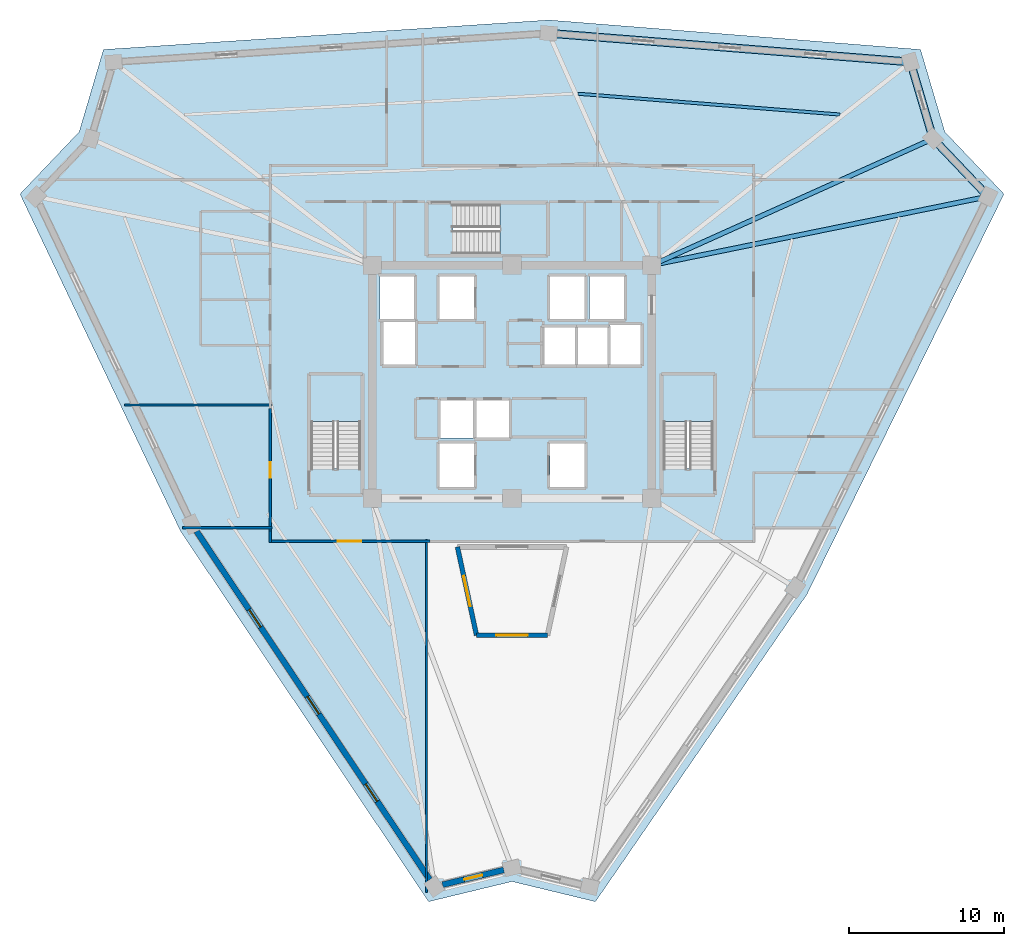
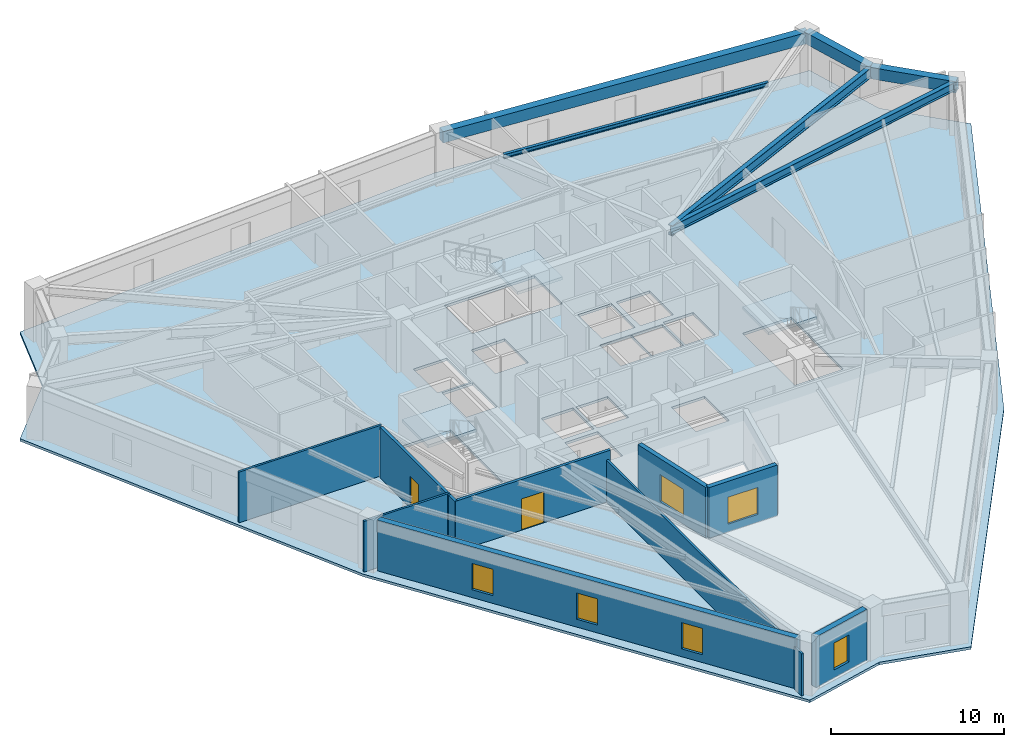
# One storey, part 2 of 10: 10 walls, 6 beams, 6 windows, 4 slabs, 2 doors, 8 openings, 3 elements without a shape of their own.
"""IFC4 building model written with IfcOpenShell, lengths in metres."""

import ifcopenshell
import ifcopenshell.guid

model = None  # the IFC model being written
_history = None  # IfcOwnerHistory: only IFC2X3 demands one
_inside = {}  # id of a spatial element -> (the spatial element, [elements in it])
_under = {}  # id of a project, library or spatial element -> (it, [spatial elements below it])
_declared = {}  # id of a project -> (the project, [libraries it declares])
_typed = {}  # id of a type object -> (the type object, [elements of that type])
_made_of = {}  # id of a material, layer set ... -> (it, [elements and type objects made of it])


def new_model(schema):
    """Start an empty IFC model of exactly this schema.

    Asked for "IFC4X3", IfcOpenShell would pick the latest addendum, in which some entities
    have other attributes; the version numbers below select the first issue.
    IFC2X3 requires an IfcOwnerHistory on every rooted entity: one is made here for all.
    """
    global model, _history
    if schema == "IFC4X3":
        model = ifcopenshell.file(schema_version=(4, 3, 0, 0))
    else:
        model = ifcopenshell.file(schema=schema)
    _inside.clear()
    _under.clear()
    _declared.clear()
    _typed.clear()
    _made_of.clear()
    _history = None
    if model.schema == "IFC2X3":
        org = make("IfcOrganization", Name="unknown")
        user = make(
            "IfcPersonAndOrganization",
            ThePerson=make("IfcPerson", FamilyName="unknown"),
            TheOrganization=org,
        )
        app = make(
            "IfcApplication",
            ApplicationDeveloper=org,
            Version="unknown",
            ApplicationFullName="unknown",
            ApplicationIdentifier="unknown",
        )
        _history = make(
            "IfcOwnerHistory",
            OwningUser=user,
            OwningApplication=app,
            ChangeAction="ADDED",
            CreationDate=0,
        )
    return model


def make(cls, **values):
    """One entity of the class cls with the attributes given. An attribute that is None is left unset."""
    return model.create_entity(
        cls, **{name: value for name, value in values.items() if value is not None}
    )


def rooted(cls, **values):
    """An entity with a GlobalId (a new one), such as an element, a storey or a relation."""
    return make(cls, GlobalId=ifcopenshell.guid.new(), OwnerHistory=_history, **values)


def si_unit(unit_type, name, prefix=None):
    """IfcSIUnit, for example si_unit("LENGTHUNIT", "METRE", prefix="MILLI")."""
    return make("IfcSIUnit", UnitType=unit_type, Prefix=prefix, Name=name)


def assignment(units):
    """IfcUnitAssignment: the units of a project."""
    return None if units is None else make("IfcUnitAssignment", Units=units)


def point(xyz):
    """IfcCartesianPoint."""
    return None if xyz is None else make("IfcCartesianPoint", Coordinates=xyz)


def direction(xyz):
    """IfcDirection."""
    return None if xyz is None else make("IfcDirection", DirectionRatios=xyz)


def frame(location, z_axis=None, x_axis=None):
    """IfcAxis2Placement3D, a coordinate frame: its origin and axes. An axis left out is left unset."""
    return make(
        "IfcAxis2Placement3D",
        Location=point(location),
        Axis=direction(z_axis),
        RefDirection=direction(x_axis),
    )


def frame_2d(location, x_axis=None):
    """IfcAxis2Placement2D, a coordinate frame in the plane: its origin and x axis."""
    return make(
        "IfcAxis2Placement2D", Location=point(location), RefDirection=direction(x_axis)
    )


def origin():
    """The frame at (0, 0, 0) with its axes left unset."""
    return frame((0.0, 0.0, 0.0))


def origin_2d():
    """The frame at (0, 0) in the plane with its x axis left unset."""
    return frame_2d((0.0, 0.0))


def place(relative_to, where):
    """IfcLocalPlacement: puts the frame where relative to a parent placement (None: the world)."""
    return make(
        "IfcLocalPlacement", PlacementRelTo=relative_to, RelativePlacement=where
    )


def context(
    kind, dimensions, precision=None, world=None, true_north=None, identifier=None
):
    """IfcGeometricRepresentationContext, for example the 3D "Model" context."""
    return make(
        "IfcGeometricRepresentationContext",
        ContextIdentifier=identifier,
        ContextType=kind,
        CoordinateSpaceDimension=dimensions,
        Precision=precision,
        WorldCoordinateSystem=world,
        TrueNorth=true_north,
    )


def subcontext(parent, identifier, kind, view, scale=None):
    """IfcGeometricRepresentationSubContext, for example "Body" below "Model"."""
    return make(
        "IfcGeometricRepresentationSubContext",
        ContextIdentifier=identifier,
        ContextType=kind,
        ParentContext=parent,
        TargetScale=scale,
        TargetView=view,
    )


def project(units=None, contexts=None):
    """IfcProject with its units and contexts."""
    return rooted(
        "IfcProject",
        Name="project",
        RepresentationContexts=contexts,
        UnitsInContext=assignment(units),
    )


def spatial(cls, under=None, at=None, **own):
    """A site, building, storey or space (cls), placed at a placement, below another one or the project."""
    s = rooted(cls, ObjectPlacement=at, **own)
    if under is not None:
        _under.setdefault(under.id(), (under, []))[1].append(s)
    return s


def polyline(points):
    """IfcPolyline through the points."""
    return make("IfcPolyline", Points=[point(p) for p in points])


def profile(cls, at=None, kind="AREA", **sizes):
    """A parametric profile (cls). Its sizes go by their IFC names, for example OverallWidth=200.0."""
    return make(cls, ProfileType=kind, Position=at, **sizes)


def rectangle(**sizes):
    """IfcRectangleProfileDef."""
    return profile("IfcRectangleProfileDef", **sizes)


def i_section(**sizes):
    """IfcIShapeProfileDef."""
    return profile("IfcIShapeProfileDef", **sizes)


def outline(outer, holes=None, kind="AREA"):
    """IfcArbitraryClosedProfileDef: a profile drawn as a closed curve; with holes, ...WithVoids."""
    if holes is None:
        return make("IfcArbitraryClosedProfileDef", ProfileType=kind, OuterCurve=outer)
    return make(
        "IfcArbitraryProfileDefWithVoids",
        ProfileType=kind,
        OuterCurve=outer,
        InnerCurves=holes,
    )


def extrude(swept, where, along, depth):
    """IfcExtrudedAreaSolid: the profile swept, set in the frame where, extruded along a direction by depth."""
    return make(
        "IfcExtrudedAreaSolid",
        SweptArea=swept,
        Position=where,
        ExtrudedDirection=direction(along),
        Depth=depth,
    )


def shape(context_of_items, identifier, shape_type, items):
    """IfcShapeRepresentation: the items that make up one representation, for example the "Body"."""
    return make(
        "IfcShapeRepresentation",
        ContextOfItems=context_of_items,
        RepresentationIdentifier=identifier,
        RepresentationType=shape_type,
        Items=items,
    )


def source(mapping_origin, context_of_items, identifier, shape_type, items):
    """IfcRepresentationMap: a shape defined once, which mapped items show again and again."""
    return make(
        "IfcRepresentationMap",
        MappingOrigin=mapping_origin,
        MappedRepresentation=shape(context_of_items, identifier, shape_type, items),
    )


def transform(
    local_origin,
    x_axis=None,
    y_axis=None,
    z_axis=None,
    scale=None,
    scale2=None,
    scale3=None,
    uniform=True,
):
    """IfcCartesianTransformationOperator3D, or its non-uniform kind. x_axis, y_axis, z_axis: its Axis1, 2, 3."""
    if uniform:
        return make(
            "IfcCartesianTransformationOperator3D",
            Axis1=direction(x_axis),
            Axis2=direction(y_axis),
            LocalOrigin=point(local_origin),
            Scale=scale,
            Axis3=direction(z_axis),
        )
    return make(
        "IfcCartesianTransformationOperator3DnonUniform",
        Axis1=direction(x_axis),
        Axis2=direction(y_axis),
        LocalOrigin=point(local_origin),
        Scale=scale,
        Axis3=direction(z_axis),
        Scale2=scale2,
        Scale3=scale3,
    )


def mapped(mapping_source, mapping_target):
    """IfcMappedItem: shows the shape of a source again, moved by a transform."""
    return make(
        "IfcMappedItem", MappingSource=mapping_source, MappingTarget=mapping_target
    )


def material(Name=None, Category=None):
    """IfcMaterial."""
    return make("IfcMaterial", Name=Name, Category=Category)


def layer(
    of_material, thickness, ventilated=None, Name=None, Category=None, Priority=None
):
    """IfcMaterialLayer: one layer of a wall or slab, of a material (None: an air gap)."""
    return make(
        "IfcMaterialLayer",
        Material=of_material,
        LayerThickness=thickness,
        IsVentilated=ventilated,
        Name=Name,
        Category=Category,
        Priority=Priority,
    )


def layer_set(layers, Name=None):
    """IfcMaterialLayerSet."""
    return make("IfcMaterialLayerSet", MaterialLayers=layers, LayerSetName=Name)


def material_profile(
    of_material, cross_section, Name=None, Category=None, Priority=None
):
    """IfcMaterialProfile: a cross section and its material."""
    return make(
        "IfcMaterialProfile",
        Name=Name,
        Material=of_material,
        Profile=cross_section,
        Priority=Priority,
        Category=Category,
    )


def profile_set(profiles, Name=None, composite=None):
    """IfcMaterialProfileSet."""
    return make(
        "IfcMaterialProfileSet",
        Name=Name,
        MaterialProfiles=profiles,
        CompositeProfile=composite,
    )


def made_of(thing, what):
    """Note that an element or type object is made of a material, layer set ...; save() writes the relation."""
    if what is not None:
        _made_of.setdefault(what.id(), (what, []))[1].append(thing)
    return thing


def type_object(cls, material=None, **own):
    """A type object (cls), such as IfcWallType, which elements share."""
    return made_of(rooted(cls, **own), material)


def element(
    cls,
    number,
    at=None,
    inside=None,
    cuts=None,
    type_object=None,
    material=None,
    context=None,
    identifier="Body",
    shape_type=None,
    held_by="IfcProductDefinitionShape",
    body=None,
    shapes=None,
    **own,
):
    """One element of the class cls, such as IfcWall. Its Tag is "e" and its number.

    at: its placement. inside: the storey or other place that contains it. cuts: it is an
    opening in that element (IfcRelVoidsElement). A single representation is given by context,
    identifier, shape_type and body (its items); several are given by shapes. held_by: the class
    of the entity that holds the representations. save() writes the other relations.
    """
    e = rooted(cls, Tag="e%d" % number, ObjectPlacement=at, **own)
    if body is not None:
        shapes = [shape(context, identifier, shape_type, body)]
    if shapes is not None:
        e.Representation = make(held_by, Representations=shapes)
    if inside is not None:
        _inside.setdefault(inside.id(), (inside, []))[1].append(e)
    if cuts is not None:
        rooted(
            "IfcRelVoidsElement", RelatingBuildingElement=cuts, RelatedOpeningElement=e
        )
    if type_object is not None:
        _typed.setdefault(type_object.id(), (type_object, []))[1].append(e)
    return made_of(e, material)


def fill(opening, filler):
    """IfcRelFillsElement: the door or window that sits in an opening."""
    return rooted(
        "IfcRelFillsElement",
        RelatingOpeningElement=opening,
        RelatedBuildingElement=filler,
    )


def aggregate(whole, parts):
    """IfcRelAggregates: a whole, such as a stair, and the parts it consists of."""
    return rooted("IfcRelAggregates", RelatingObject=whole, RelatedObjects=parts)


def save(model, path):
    """Write the relations noted so far, then the file.

    IfcRelAggregates (storeys below a building ...), IfcRelContainedInSpatialStructure (elements
    in a storey), IfcRelDefinesByType, IfcRelAssociatesMaterial and IfcRelDeclares: one each for
    every whole, place, type object, material and project.
    """
    for whole, parts in _under.values():
        aggregate(whole, parts)
    for where, things in _inside.values():
        rooted(
            "IfcRelContainedInSpatialStructure",
            RelatedElements=things,
            RelatingStructure=where,
        )
    for kind, things in _typed.values():
        rooted("IfcRelDefinesByType", RelatedObjects=things, RelatingType=kind)
    for what, things in _made_of.values():
        rooted("IfcRelAssociatesMaterial", RelatedObjects=things, RelatingMaterial=what)
    for by, libraries in _declared.values():
        rooted("IfcRelDeclares", RelatingContext=by, RelatedDefinitions=libraries)
    model.write(path)


model = new_model("IFC4")

# Units and contexts
model_context = context("Model", 3, precision=1e-05, world=origin(), true_north=direction((0.0, 1.0)))
body_context = subcontext(model_context, "Body", "Model", "MODEL_VIEW")
ifc_project = project(units=[si_unit("LENGTHUNIT", "METRE"), si_unit("AREAUNIT", "SQUARE_METRE"), si_unit("VOLUMEUNIT", "CUBIC_METRE"), si_unit("PLANEANGLEUNIT", "RADIAN"), si_unit("MASSUNIT", "GRAM", prefix="KILO")], contexts=[model_context])

# Site, building, storey
site_placement = place(None, origin())
site = spatial("IfcSite", under=ifc_project, at=site_placement, CompositionType="ELEMENT")
building_placement = place(site_placement, origin())
building = spatial("IfcBuilding", under=site, at=building_placement, Name="Liaohun Quay Tower", CompositionType="ELEMENT")
storey_placement = place(building_placement, frame((0.0, 0.0, 286.5)))
storey = spatial("IfcBuildingStorey", under=building, at=storey_placement, Name="L74", CompositionType="ELEMENT", Elevation=286.5)

# Beams
ifc_material_1 = material(Name="Steel Q355D", Category="steel")
ifc_material_profile_1 = material_profile(ifc_material_1, i_section(OverallWidth=0.300048828125, OverallDepth=0.699951171875, WebThickness=0.012939453125, FlangeThickness=0.02392578125, at=origin_2d()), Name="HN700x300x13x24")
ifc_profile_set_1 = profile_set([ifc_material_profile_1], Name="Steel Q355D")
beam_type_1 = type_object("IfcBeamType", Name="BM-RAD-U1", PredefinedType="BEAM", material=ifc_profile_set_1)
shared_shape_1 = source(origin(), body_context, "Body", "SweptSolid", [
    extrude(i_section(OverallWidth=0.300048828125, OverallDepth=0.699951171875, WebThickness=0.012939453125, FlangeThickness=0.02392578125, at=origin_2d()), origin(), (0.0, 0.0, 1.0), 19.843994140625),
])
beam_1_placement = place(storey_placement, frame((69.0, 61.5, 3.219970703125), z_axis=(0.911905160232, 0.410400997491, 0.0), x_axis=(-0.410400997491, 0.911905160232, 0.0)))
element("IfcBeam", 1, at=beam_1_placement, inside=storey, type_object=beam_type_1, Name="L74 Radial Primary Girder CC4-PC08", PredefinedType="BEAM", context=body_context, shape_type="MappedRepresentation", body=[
    mapped(shared_shape_1, transform((0.0, 0.0, 0.0), x_axis=(1.0, 0.0, 0.0), y_axis=(0.0, 1.0, 0.0), z_axis=(0.0, 0.0, 1.0), scale=1.0)),
])
ifc_material_profile_2 = material_profile(ifc_material_1, i_section(OverallWidth=0.300048828125, OverallDepth=0.587890625, WebThickness=0.011962890625, FlangeThickness=0.02001953125, at=origin_2d()), Name="HM588x300x12x20")
ifc_profile_set_2 = profile_set([ifc_material_profile_2], Name="Steel Q355D")
beam_type_2 = type_object("IfcBeamType", Name="BM-RAD-U2", PredefinedType="BEAM", material=ifc_profile_set_2)
shared_shape_2 = source(origin(), body_context, "Body", "SweptSolid", [
    extrude(i_section(OverallWidth=0.300048828125, OverallDepth=0.587890625, WebThickness=0.011962890625, FlangeThickness=0.02001953125, at=origin_2d()), origin(), (0.0, 0.0, 1.0), 22.08447265625),
])
beam_2_placement = place(storey_placement, frame((69.0, 61.5, 3.27587890625), z_axis=(0.979738454823, 0.200281202663, 0.0), x_axis=(-0.200281202663, 0.979738454823, 0.0)))
element("IfcBeam", 2, at=beam_2_placement, inside=storey, type_object=beam_type_2, Name="L74 Radial Primary Girder CC4-PC09", PredefinedType="BEAM", context=body_context, shape_type="MappedRepresentation", body=[
    mapped(shared_shape_2, transform((0.0, 0.0, 0.0), x_axis=(1.0, 0.0, 0.0), y_axis=(0.0, 1.0, 0.0), z_axis=(0.0, 0.0, 1.0), scale=1.0)),
])
ifc_material_profile_3 = material_profile(ifc_material_1, i_section(OverallWidth=0.199951171875, OverallDepth=0.2939453125, WebThickness=0.008056640625, FlangeThickness=0.011962890625, at=origin_2d()), Name="HM294x200x8x12")
ifc_profile_set_3 = profile_set([ifc_material_profile_3], Name="Steel Q355D")
beam_type_3 = type_object("IfcBeamType", Name="BM-SEC-J4", PredefinedType="JOIST", material=ifc_profile_set_3)
shared_shape_3 = source(origin(), body_context, "Body", "SweptSolid", [
    extrude(i_section(OverallWidth=0.199951171875, OverallDepth=0.2939453125, WebThickness=0.008056640625, FlangeThickness=0.011962890625, at=origin_2d()), origin(), (0.0, 0.0, 1.0), 16.889892578125),
])
beam_3_placement = place(storey_placement, frame((64.257080078125, 72.531982421875, 3.423095703125), z_axis=(0.996862351768, -0.079154605856, 0.0), x_axis=(0.079154605856, 0.996862351768, 0.0)))
element("IfcBeam", 3, at=beam_3_placement, inside=storey, type_object=beam_type_3, Name="L74 Wing Secondary Floor Joist SJ-09", PredefinedType="JOIST", context=body_context, shape_type="MappedRepresentation", body=[
    mapped(shared_shape_3, transform((0.0, 0.0, 0.0), x_axis=(1.0, 0.0, 0.0), y_axis=(0.0, 1.0, 0.0), z_axis=(0.0, 0.0, 1.0), scale=1.0)),
])
ifc_material_2 = material(Name="Precast concrete C50", Category="concrete")
ifc_material_profile_4 = material_profile(ifc_material_2, rectangle(XDim=0.5, YDim=0.800048828125, at=origin_2d()), Name="RC500x800")
ifc_profile_set_4 = profile_set([ifc_material_profile_4], Name="Precast concrete C50")
beam_type_4 = type_object("IfcBeamType", Name="BM-SPD-Z4", PredefinedType="SPANDREL", material=ifc_profile_set_4)
shared_shape_4 = source(origin(), body_context, "Body", "SweptSolid", [
    extrude(rectangle(XDim=0.5, YDim=0.800048828125, at=origin_2d()), origin(), (0.0, 0.0, 1.0), 23.354248046875),
])
beam_4_placement = place(storey_placement, frame((62.360107421875, 76.427001953125, 3.169921875), z_axis=(0.99686058787, -0.079176817002, 0.0), x_axis=(0.079176817002, 0.99686058787, 0.0)))
element("IfcBeam", 4, at=beam_4_placement, inside=storey, type_object=beam_type_4, Name="L74 Precast Spandrel Beam PC06-PC07", PredefinedType="SPANDREL", context=body_context, shape_type="MappedRepresentation", body=[
    mapped(shared_shape_4, transform((0.0, 0.0, 0.0), x_axis=(1.0, 0.0, 0.0), y_axis=(0.0, 1.0, 0.0), z_axis=(0.0, 0.0, 1.0), scale=1.0)),
])
shared_shape_5 = source(origin(), body_context, "Body", "SweptSolid", [
    extrude(rectangle(XDim=0.5, YDim=0.800048828125, at=origin_2d()), origin(), (0.0, 0.0, 1.0), 5.143798828125),
])
beam_5_placement = place(storey_placement, frame((85.64111328125, 74.577880859375, 3.169921875), z_axis=(0.282829220503, -0.959170283125, 0.0), x_axis=(0.959170283125, 0.282829220503, 0.0)))
element("IfcBeam", 5, at=beam_5_placement, inside=storey, type_object=beam_type_4, Name="L74 Precast Spandrel Beam PC07-PC08", PredefinedType="SPANDREL", context=body_context, shape_type="MappedRepresentation", body=[
    mapped(shared_shape_5, transform((0.0, 0.0, 0.0), x_axis=(1.0, 0.0, 0.0), y_axis=(0.0, 1.0, 0.0), z_axis=(0.0, 0.0, 1.0), scale=1.0)),
])
shared_shape_6 = source(origin(), body_context, "Body", "SweptSolid", [
    extrude(rectangle(XDim=0.5, YDim=0.800048828125, at=origin_2d()), origin(), (0.0, 0.0, 1.0), 5.136474609375),
])
beam_6_placement = place(storey_placement, frame((87.095947265625, 69.64404296875, 3.169921875), z_axis=(0.689375027306, -0.724404632596, 0.0), x_axis=(0.724404632596, 0.689375027306, 0.0)))
element("IfcBeam", 6, at=beam_6_placement, inside=storey, type_object=beam_type_4, Name="L74 Precast Spandrel Beam PC08-PC09", PredefinedType="SPANDREL", context=body_context, shape_type="MappedRepresentation", body=[
    mapped(shared_shape_6, transform((0.0, 0.0, 0.0), x_axis=(1.0, 0.0, 0.0), y_axis=(0.0, 1.0, 0.0), z_axis=(0.0, 0.0, 1.0), scale=1.0)),
])

# Stair, slab
ifc_material_3 = material(Name="Concrete C45", Category="concrete")
stair_type = type_object("IfcStairType", Name="STR-CORE-OFF", PredefinedType="HALF_TURN_STAIR", material=ifc_material_3)
stair_1_placement = place(storey_placement, origin())
stair_1 = element("IfcStair", 7, at=stair_1_placement, inside=storey, type_object=stair_type, Name="L74 Smokeproof Core Exit Stair ST-1", PredefinedType="HALF_TURN_STAIR")
ifc_layer_1 = layer(ifc_material_3, 0.199951171875, Name="Concrete C45", Category="concrete")
ifc_layer_set_1 = layer_set([ifc_layer_1], Name="Concrete C45")
slab_type_1 = type_object("IfcSlabType", Name="SLB-LND-200", PredefinedType="LANDING", material=ifc_layer_set_1)
slab_1_placement = place(storey_placement, frame((0.0, 0.0, 1.675048828125)))
slab_1 = element("IfcSlab", 8, at=slab_1_placement, type_object=slab_type_1, Name="ST-1 landing 1", PredefinedType="LANDING", context=body_context, shape_type="SweptSolid", body=[
    extrude(outline(polyline([(50.280029296875, 51.429931640625), (50.280029296875, 54.419921875), (47.0400390625, 54.419921875), (47.0400390625, 51.429931640625), (50.280029296875, 51.429931640625)])), origin(), (0.0, 0.0, 1.0), 0.199951171875),
])
aggregate(stair_1, [slab_1])

stair_2_placement = place(storey_placement, origin())
stair_2 = element("IfcStair", 9, at=stair_2_placement, inside=storey, type_object=stair_type, Name="L74 Smokeproof Core Exit Stair ST-2", PredefinedType="HALF_TURN_STAIR")
slab_2_placement = place(storey_placement, frame((0.0, 0.0, 1.675048828125)))
slab_2 = element("IfcSlab", 10, at=slab_2_placement, type_object=slab_type_1, Name="ST-2 landing 1", PredefinedType="LANDING", context=body_context, shape_type="SweptSolid", body=[
    extrude(outline(polyline([(72.9599609375, 51.429931640625), (72.9599609375, 54.419921875), (69.719970703125, 54.419921875), (69.719970703125, 51.429931640625), (72.9599609375, 51.429931640625)])), origin(), (0.0, 0.0, 1.0), 0.199951171875),
])
aggregate(stair_2, [slab_2])

stair_3_placement = place(storey_placement, origin())
stair_3 = element("IfcStair", 11, at=stair_3_placement, inside=storey, type_object=stair_type, Name="L74 Smokeproof Core Exit Stair ST-3", PredefinedType="HALF_TURN_STAIR")
slab_3_placement = place(storey_placement, frame((0.0, 0.0, 1.675048828125)))
slab_3 = element("IfcSlab", 12, at=slab_3_placement, type_object=slab_type_1, Name="ST-3 landing 1", PredefinedType="LANDING", context=body_context, shape_type="SweptSolid", body=[
    extrude(outline(polyline([(59.22998046875, 62.199951171875), (62.219970703125, 62.199951171875), (62.219970703125, 65.43994140625), (59.22998046875, 65.43994140625), (59.22998046875, 62.199951171875)])), origin(), (0.0, 0.0, 1.0), 0.199951171875),
])
aggregate(stair_3, [slab_3])

# Slab
ifc_layer_2 = layer(ifc_material_3, 0.179931640625, Name="Concrete C45", Category="concrete")
ifc_layer_set_2 = layer_set([ifc_layer_2], Name="Concrete C45")
slab_type_2 = type_object("IfcSlabType", Name="SLB-OFF-180", PredefinedType="FLOOR", material=ifc_layer_set_2)
slab_4_placement = place(storey_placement, frame((0.0, 0.0, -0.179931640625)))
element("IfcSlab", 13, at=slab_4_placement, inside=storey, type_object=slab_type_2, Name="L74 Structural Floor Slab", PredefinedType="FLOOR", context=body_context, shape_type="SweptSolid", body=[
    extrude(outline(polyline([(54.631103515625, 20.5419921875), (60.0, 21.837890625), (65.368896484375, 20.5419921875), (78.97705078125, 40.31103515625), (91.660888671875, 66.0791015625), (87.85302734375, 70.0810546875), (86.291015625, 75.37890625), (62.365966796875, 77.279052734375), (33.708984375, 75.37890625), (32.14697265625, 70.0810546875), (28.339111328125, 66.0791015625), (38.656005859375, 44.409912109375), (54.631103515625, 20.5419921875)]), holes=[polyline([(57.56005859375, 47.2099609375), (57.56005859375, 50.030029296875), (55.340087890625, 50.030029296875), (55.340087890625, 47.2099609375), (57.56005859375, 47.2099609375)]), polyline([(50.280029296875, 54.419921875), (47.0400390625, 54.419921875), (47.0400390625, 48.409912109375), (50.280029296875, 48.409912109375), (50.280029296875, 54.419921875)]), polyline([(57.510009765625, 50.389892578125), (57.510009765625, 52.81005859375), (55.389892578125, 52.81005859375), (55.389892578125, 50.389892578125), (57.510009765625, 50.389892578125)]), polyline([(59.81005859375, 50.389892578125), (59.81005859375, 52.81005859375), (57.68994140625, 52.81005859375), (57.68994140625, 50.389892578125), (59.81005859375, 50.389892578125)]), polyline([(53.760009765625, 55.090087890625), (53.760009765625, 57.909912109375), (51.7099609375, 57.909912109375), (51.7099609375, 55.090087890625), (53.760009765625, 55.090087890625)]), polyline([(53.7099609375, 58.0400390625), (53.7099609375, 60.7900390625), (51.489990234375, 60.7900390625), (51.489990234375, 58.0400390625), (53.7099609375, 58.0400390625)]), polyline([(57.56005859375, 58.0400390625), (57.56005859375, 60.7900390625), (55.340087890625, 60.7900390625), (55.340087890625, 58.0400390625), (57.56005859375, 58.0400390625)]), polyline([(62.219970703125, 62.199951171875), (62.219970703125, 65.43994140625), (56.2099609375, 65.43994140625), (56.2099609375, 62.199951171875), (62.219970703125, 62.199951171875)]), polyline([(62.14599609375, 37.85498046875), (63.301025390625, 43.199951171875), (56.698974609375, 43.199951171875), (57.85400390625, 37.85498046875), (62.14599609375, 37.85498046875)]), polyline([(64.659912109375, 47.2099609375), (64.659912109375, 50.030029296875), (62.43994140625, 50.030029296875), (62.43994140625, 47.2099609375), (64.659912109375, 47.2099609375)]), polyline([(72.9599609375, 54.419921875), (69.719970703125, 54.419921875), (69.719970703125, 48.409912109375), (72.9599609375, 48.409912109375), (72.9599609375, 54.419921875)]), polyline([(64.06005859375, 55.090087890625), (64.06005859375, 57.510009765625), (61.989990234375, 57.510009765625), (61.989990234375, 55.090087890625), (64.06005859375, 55.090087890625)]), polyline([(66.159912109375, 55.090087890625), (66.159912109375, 57.510009765625), (64.090087890625, 57.510009765625), (64.090087890625, 55.090087890625), (66.159912109375, 55.090087890625)]), polyline([(68.2900390625, 55.090087890625), (68.2900390625, 57.659912109375), (66.2900390625, 57.659912109375), (66.2900390625, 55.090087890625), (68.2900390625, 55.090087890625)]), polyline([(64.659912109375, 58.0400390625), (64.659912109375, 60.7900390625), (62.43994140625, 60.7900390625), (62.43994140625, 58.0400390625), (64.659912109375, 58.0400390625)]), polyline([(67.2099609375, 58.0400390625), (67.2099609375, 60.7900390625), (64.989990234375, 60.7900390625), (64.989990234375, 58.0400390625), (67.2099609375, 58.0400390625)])]), origin(), (0.0, 0.0, 1.0), 0.179931640625),
])

# Wall, opening, window
ifc_material_4 = material(Name="Concrete C50", Category="concrete")
ifc_layer_3 = layer(ifc_material_4, 0.300048828125, Name="Concrete C50", Category="concrete")
ifc_layer_set_3 = layer_set([ifc_layer_3], Name="Concrete C50")
wall_type_1 = type_object("IfcWallType", Name="WAL-ATR-300", PredefinedType="SOLIDWALL", material=ifc_layer_set_3)
wall_1_placement = place(storey_placement, frame((57.717041015625, 37.68505859375, 0.0), z_axis=(0.0, 0.0, 1.0), x_axis=(-0.211300278916, 0.977421194844, 0.0)))
wall_1 = element("IfcWall", 14, at=wall_1_placement, inside=storey, type_object=wall_type_1, Name="L74 Atrium Fire Compartment Wall 1", PredefinedType="SOLIDWALL", context=body_context, shape_type="SweptSolid", body=[
    extrude(rectangle(XDim=5.81640625, YDim=0.300048828125, at=frame_2d((2.908203125, 0.0))), origin(), (0.0, 0.0, 1.0), 3.570068359375),
])
shared_shape_7 = source(origin(), body_context, "Body", "SweptSolid", [
    extrude(rectangle(XDim=2.0, YDim=1.89990234375, at=frame_2d((1.0, 0.949951171875))), frame((0.0, 0.159912109375, 0.0), z_axis=(0.0, -1.0, 0.0), x_axis=(1.0, 0.0, 0.0)), (0.0, 0.0, 1.0), 0.320068359375),
])
opening_1_placement = place(wall_1_placement, frame((1.907958984375, 0.0, 0.550048828125)))
opening_1 = element("IfcOpeningElement", 15, at=opening_1_placement, cuts=wall_1, Name="Opening W07", PredefinedType="OPENING", context=body_context, shape_type="MappedRepresentation", body=[
    mapped(shared_shape_7, transform((0.0, 0.0, 0.0), x_axis=(1.0, 0.0, 0.0), y_axis=(0.0, 1.0, 0.0), z_axis=(0.0, 0.0, 1.0), scale=1.0)),
])
ifc_material_5 = material(Name="Class A 180-min fire-resistant insulated glazing", Category="glass")
window_type_1 = type_object("IfcWindowType", Name="WIN-ATR-FIR", PartitioningType="DOUBLE_PANEL_VERTICAL", PredefinedType="WINDOW", material=ifc_material_5)
shared_shape_8 = source(origin(), body_context, "Body", "SweptSolid", [
    extrude(rectangle(XDim=2.0, YDim=1.89990234375, at=frame_2d((1.0, 0.949951171875))), frame((0.0, 0.030029296875, 0.0), z_axis=(0.0, -1.0, 0.0), x_axis=(1.0, 0.0, 0.0)), (0.0, 0.0, 1.0), 0.06005859375),
])
window_1_placement = place(opening_1_placement, origin())
window_1 = element("IfcWindow", 16, at=window_1_placement, inside=storey, type_object=window_type_1, Name="L74 Atrium Fire-Resistant Glazing W07-1", OverallHeight=1.89990234375, OverallWidth=2.0, PartitioningType="DOUBLE_PANEL_VERTICAL", PredefinedType="WINDOW", context=body_context, shape_type="MappedRepresentation", body=[
    mapped(shared_shape_8, transform((0.0, 0.0, 0.0), x_axis=(1.0, 0.0, 0.0), y_axis=(0.0, 1.0, 0.0), z_axis=(0.0, 0.0, 1.0), scale=1.0)),
])
fill(opening_1, window_1)

wall_2_placement = place(storey_placement, frame((62.282958984375, 37.68505859375, 0.0), z_axis=(0.0, 0.0, 1.0), x_axis=(-1.0, 0.0, 0.0)))
wall_2 = element("IfcWall", 17, at=wall_2_placement, inside=storey, type_object=wall_type_1, Name="L74 Atrium Fire Compartment Wall 4", PredefinedType="SOLIDWALL", context=body_context, shape_type="SweptSolid", body=[
    extrude(rectangle(XDim=4.56591796875, YDim=0.300048828125, at=frame_2d((2.282958984375, 0.0))), origin(), (0.0, 0.0, 1.0), 3.570068359375),
])
opening_2_placement = place(wall_2_placement, frame((1.282958984375, 0.0, 0.550048828125)))
opening_2 = element("IfcOpeningElement", 18, at=opening_2_placement, cuts=wall_2, Name="Opening W07", PredefinedType="OPENING", context=body_context, shape_type="MappedRepresentation", body=[
    mapped(shared_shape_7, transform((0.0, 0.0, 0.0), x_axis=(1.0, 0.0, 0.0), y_axis=(0.0, 1.0, 0.0), z_axis=(0.0, 0.0, 1.0), scale=1.0)),
])
window_2_placement = place(opening_2_placement, origin())
window_2 = element("IfcWindow", 19, at=window_2_placement, inside=storey, type_object=window_type_1, Name="L74 Atrium Fire-Resistant Glazing W07-4", OverallHeight=1.89990234375, OverallWidth=2.0, PartitioningType="DOUBLE_PANEL_VERTICAL", PredefinedType="WINDOW", context=body_context, shape_type="MappedRepresentation", body=[
    mapped(shared_shape_8, transform((0.0, 0.0, 0.0), x_axis=(1.0, 0.0, 0.0), y_axis=(0.0, 1.0, 0.0), z_axis=(0.0, 0.0, 1.0), scale=1.0)),
])
fill(opening_2, window_2)

# Wall, openings, windows
ifc_material_6 = material(Name="Precast concrete C50 insulated sandwich", Category="concrete")
ifc_layer_4 = layer(ifc_material_6, 0.3798828125, Name="Precast concrete C50 insulated sandwich", Category="concrete")
ifc_layer_set_4 = layer_set([ifc_layer_4], Name="Precast concrete C50 insulated sandwich")
wall_type_2 = type_object("IfcWallType", Name="WAL-EXT-Z34", PredefinedType="SOLIDWALL", material=ifc_layer_set_4)
wall_3_placement = place(storey_placement, frame((39.697021484375, 44.382080078125, 0.0), z_axis=(0.0, 0.0, 1.0), x_axis=(0.556246250685, -0.831017514014, 0.0)))
wall_3 = element("IfcWall", 20, at=wall_3_placement, inside=storey, type_object=wall_type_2, Name="L74 Brutalist Precast Pier Wall 11", PredefinedType="SOLIDWALL", context=body_context, shape_type="SweptSolid", body=[
    extrude(rectangle(XDim=26.986328125, YDim=0.3798828125, at=frame_2d((13.4931640625, 0.0))), origin(), (0.0, 0.0, 1.0), 3.570068359375),
])
shared_shape_9 = source(origin(), body_context, "Body", "SweptSolid", [
    extrude(rectangle(XDim=1.35009765625, YDim=1.85009765625, at=frame_2d((0.675048828125, 0.925048828125))), frame((0.0, 0.199951171875, 0.0), z_axis=(0.0, -1.0, 0.0), x_axis=(1.0, 0.0, 0.0)), (0.0, 0.0, 1.0), 0.39990234375),
])
opening_3_placement = place(wall_3_placement, frame((6.072021484375, 0.0, 0.550048828125)))
opening_3 = element("IfcOpeningElement", 21, at=opening_3_placement, cuts=wall_3, Name="Opening W04", PredefinedType="OPENING", context=body_context, shape_type="MappedRepresentation", body=[
    mapped(shared_shape_9, transform((0.0, 0.0, 0.0), x_axis=(1.0, 0.0, 0.0), y_axis=(0.0, 1.0, 0.0), z_axis=(0.0, 0.0, 1.0), scale=1.0)),
])
opening_4_placement = place(wall_3_placement, frame((12.818115234375, 0.0, 0.550048828125)))
opening_4 = element("IfcOpeningElement", 22, at=opening_4_placement, cuts=wall_3, Name="Opening W04", PredefinedType="OPENING", context=body_context, shape_type="MappedRepresentation", body=[
    mapped(shared_shape_9, transform((0.0, 0.0, 0.0), x_axis=(1.0, 0.0, 0.0), y_axis=(0.0, 1.0, 0.0), z_axis=(0.0, 0.0, 1.0), scale=1.0)),
])
opening_5_placement = place(wall_3_placement, frame((19.56494140625, 0.0, 0.550048828125)))
opening_5 = element("IfcOpeningElement", 23, at=opening_5_placement, cuts=wall_3, Name="Opening W04", PredefinedType="OPENING", context=body_context, shape_type="MappedRepresentation", body=[
    mapped(shared_shape_9, transform((0.0, 0.0, 0.0), x_axis=(1.0, 0.0, 0.0), y_axis=(0.0, 1.0, 0.0), z_axis=(0.0, 0.0, 1.0), scale=1.0)),
])
ifc_material_7 = material(Name="Triple Low-E argon glazing in thermally broken aluminium", Category="aluminium")
window_type_2 = type_object("IfcWindowType", Name="WIN-PUN-Z4", PartitioningType="SINGLE_PANEL", PredefinedType="WINDOW", material=ifc_material_7)
shared_shape_10 = source(origin(), body_context, "Body", "SweptSolid", [
    extrude(rectangle(XDim=1.35009765625, YDim=1.85009765625, at=frame_2d((0.675048828125, 0.925048828125))), frame((0.0, 0.030029296875, 0.0), z_axis=(0.0, -1.0, 0.0), x_axis=(1.0, 0.0, 0.0)), (0.0, 0.0, 1.0), 0.06005859375),
])
window_3_placement = place(opening_3_placement, origin())
window_3 = element("IfcWindow", 24, at=window_3_placement, inside=storey, type_object=window_type_2, Name="L74 Recessed Cold-Climate Punched Window 11-1", OverallHeight=1.85009765625, OverallWidth=1.35009765625, PartitioningType="SINGLE_PANEL", PredefinedType="WINDOW", context=body_context, shape_type="MappedRepresentation", body=[
    mapped(shared_shape_10, transform((0.0, 0.0, 0.0), x_axis=(1.0, 0.0, 0.0), y_axis=(0.0, 1.0, 0.0), z_axis=(0.0, 0.0, 1.0), scale=1.0)),
])
fill(opening_3, window_3)
window_4_placement = place(opening_4_placement, origin())
window_4 = element("IfcWindow", 25, at=window_4_placement, inside=storey, type_object=window_type_2, Name="L74 Recessed Cold-Climate Punched Window 11-2", OverallHeight=1.85009765625, OverallWidth=1.35009765625, PartitioningType="SINGLE_PANEL", PredefinedType="WINDOW", context=body_context, shape_type="MappedRepresentation", body=[
    mapped(shared_shape_10, transform((0.0, 0.0, 0.0), x_axis=(1.0, 0.0, 0.0), y_axis=(0.0, 1.0, 0.0), z_axis=(0.0, 0.0, 1.0), scale=1.0)),
])
fill(opening_4, window_4)
window_5_placement = place(opening_5_placement, origin())
window_5 = element("IfcWindow", 26, at=window_5_placement, inside=storey, type_object=window_type_2, Name="L74 Recessed Cold-Climate Punched Window 11-3", OverallHeight=1.85009765625, OverallWidth=1.35009765625, PartitioningType="SINGLE_PANEL", PredefinedType="WINDOW", context=body_context, shape_type="MappedRepresentation", body=[
    mapped(shared_shape_10, transform((0.0, 0.0, 0.0), x_axis=(1.0, 0.0, 0.0), y_axis=(0.0, 1.0, 0.0), z_axis=(0.0, 0.0, 1.0), scale=1.0)),
])
fill(opening_5, window_5)

# Wall, opening, window
wall_4_placement = place(storey_placement, frame((55.532958984375, 21.634033203125, 0.0), z_axis=(0.0, 0.0, 1.0), x_axis=(0.972117237932, 0.234495363953, 0.0)))
wall_4 = element("IfcWall", 27, at=wall_4_placement, inside=storey, type_object=wall_type_2, Name="L74 Brutalist Precast Pier Wall 12", PredefinedType="SOLIDWALL", context=body_context, shape_type="SweptSolid", body=[
    extrude(rectangle(XDim=4.05517578125, YDim=0.3798828125, at=frame_2d((2.027587890625, 0.0))), origin(), (0.0, 0.0, 1.0), 3.570068359375),
])
shared_shape_11 = source(origin(), body_context, "Body", "SweptSolid", [
    extrude(rectangle(XDim=1.199951171875, YDim=1.89990234375, at=frame_2d((0.60009765625, 0.949951171875))), frame((0.0, 0.199951171875, 0.0), z_axis=(0.0, -1.0, 0.0), x_axis=(1.0, 0.0, 0.0)), (0.0, 0.0, 1.0), 0.39990234375),
])
opening_6_placement = place(wall_4_placement, frame((1.427978515625, 0.0, 0.550048828125)))
opening_6 = element("IfcOpeningElement", 28, at=opening_6_placement, cuts=wall_4, Name="Opening W05", PredefinedType="OPENING", context=body_context, shape_type="MappedRepresentation", body=[
    mapped(shared_shape_11, transform((0.0, 0.0, 0.0), x_axis=(1.0, 0.0, 0.0), y_axis=(0.0, 1.0, 0.0), z_axis=(0.0, 0.0, 1.0), scale=1.0)),
])
ifc_material_8 = material(Name="Triple Low-E corner notch glazing", Category="glass")
window_type_3 = type_object("IfcWindowType", Name="WIN-NOTCH", PartitioningType="SINGLE_PANEL", PredefinedType="WINDOW", material=ifc_material_8)
shared_shape_12 = source(origin(), body_context, "Body", "SweptSolid", [
    extrude(rectangle(XDim=1.199951171875, YDim=1.89990234375, at=frame_2d((0.60009765625, 0.949951171875))), frame((0.0, 0.030029296875, 0.0), z_axis=(0.0, -1.0, 0.0), x_axis=(1.0, 0.0, 0.0)), (0.0, 0.0, 1.0), 0.06005859375),
])
window_6_placement = place(opening_6_placement, origin())
window_6 = element("IfcWindow", 29, at=window_6_placement, inside=storey, type_object=window_type_3, Name="L74 Corner Notch Window W05-12", OverallHeight=1.89990234375, OverallWidth=1.199951171875, PartitioningType="SINGLE_PANEL", PredefinedType="WINDOW", context=body_context, shape_type="MappedRepresentation", body=[
    mapped(shared_shape_12, transform((0.0, 0.0, 0.0), x_axis=(1.0, 0.0, 0.0), y_axis=(0.0, 1.0, 0.0), z_axis=(0.0, 0.0, 1.0), scale=1.0)),
])
fill(opening_6, window_6)

# Wall, opening, door
ifc_material_9 = material(Name="Autoclaved aerated concrete blockwork", Category="masonry")
ifc_layer_5 = layer(ifc_material_9, 0.179931640625, Name="Autoclaved aerated concrete blockwork", Category="masonry")
ifc_layer_set_5 = layer_set([ifc_layer_5], Name="Autoclaved aerated concrete blockwork")
wall_type_3 = type_object("IfcWallType", Name="WAL-PRT-COR", PredefinedType="PARTITIONING", material=ifc_layer_set_5)
wall_5_placement = place(storey_placement, frame((44.43994140625, 44.385009765625, 0.0), z_axis=(0.0, 0.0, 1.0), x_axis=(0.0, 1.0, 0.0)))
wall_5 = element("IfcWall", 30, at=wall_5_placement, inside=storey, type_object=wall_type_3, Name="L74 Interior Partition Wall 021", PredefinedType="PARTITIONING", context=body_context, shape_type="SweptSolid", body=[
    extrude(rectangle(XDim=7.89990234375, YDim=0.179931640625, at=frame_2d((3.949951171875, 0.0))), origin(), (0.0, 0.0, 1.0), 3.570068359375),
])
shared_shape_13 = source(origin(), body_context, "Body", "SweptSolid", [
    extrude(rectangle(XDim=1.0, YDim=2.199951171875, at=frame_2d((0.5, 1.10009765625))), frame((0.0, 0.099853515625, 0.0), z_axis=(0.0, -1.0, 0.0), x_axis=(1.0, 0.0, 0.0)), (0.0, 0.0, 1.0), 0.199951171875),
])
opening_7_placement = place(wall_5_placement, frame((3.449951171875, 0.0, 0.0)))
opening_7 = element("IfcOpeningElement", 31, at=opening_7_placement, cuts=wall_5, Name="Opening OD1", PredefinedType="OPENING", context=body_context, shape_type="MappedRepresentation", body=[
    mapped(shared_shape_13, transform((0.0, 0.0, 0.0), x_axis=(1.0, 0.0, 0.0), y_axis=(0.0, 1.0, 0.0), z_axis=(0.0, 0.0, 1.0), scale=1.0)),
])
ifc_material_10 = material(Name="Solid-core oak veneer timber leaf in steel frame", Category="steel")
door_type_1 = type_object("IfcDoorType", Name="DOR-OFF-1000", OperationType="NOTDEFINED", PredefinedType="DOOR", material=ifc_material_10)
shared_shape_14 = source(origin(), body_context, "Body", "SweptSolid", [
    extrude(rectangle(XDim=1.0, YDim=2.199951171875, at=frame_2d((0.5, 1.10009765625))), frame((0.0, 0.02490234375, 0.0), z_axis=(0.0, -1.0, 0.0), x_axis=(1.0, 0.0, 0.0)), (0.0, 0.0, 1.0), 0.050048828125),
])
door_1_placement = place(opening_7_placement, origin())
door_1 = element("IfcDoor", 32, at=door_1_placement, inside=storey, type_object=door_type_1, Name="L74 Staff Tea Kitchen and Pantry 06 Door", OperationType="SINGLE_SWING_RIGHT", OverallHeight=2.199951171875, OverallWidth=1.0, PredefinedType="DOOR", context=body_context, shape_type="MappedRepresentation", body=[
    mapped(shared_shape_14, transform((0.0, 0.0, 0.0), x_axis=(1.0, 0.0, 0.0), y_axis=(0.0, 1.0, 0.0), z_axis=(0.0, 0.0, 1.0), scale=1.0)),
])
fill(opening_7, door_1)

wall_6_placement = place(storey_placement, frame((54.715087890625, 43.739990234375, 0.0), z_axis=(0.0, 0.0, 1.0), x_axis=(-1.0, 0.0, 0.0)))
wall_6 = element("IfcWall", 33, at=wall_6_placement, inside=storey, type_object=wall_type_3, Name="L74 Interior Partition Wall 022", PredefinedType="PARTITIONING", context=body_context, shape_type="SweptSolid", body=[
    extrude(rectangle(XDim=10.344970703125, YDim=0.179931640625, at=frame_2d((5.17236328125, 0.0))), origin(), (0.0, 0.0, 1.0), 3.570068359375),
])
shared_shape_15 = source(origin(), body_context, "Body", "SweptSolid", [
    extrude(rectangle(XDim=1.5, YDim=2.199951171875, at=frame_2d((0.75, 1.10009765625))), frame((0.0, 0.099853515625, 0.0), z_axis=(0.0, -1.0, 0.0), x_axis=(1.0, 0.0, 0.0)), (0.0, 0.0, 1.0), 0.199951171875),
])
opening_8_placement = place(wall_6_placement, frame((4.423095703125, 0.0, 0.0)))
opening_8 = element("IfcOpeningElement", 34, at=opening_8_placement, cuts=wall_6, Name="Opening OD2", PredefinedType="OPENING", context=body_context, shape_type="MappedRepresentation", body=[
    mapped(shared_shape_15, transform((0.0, 0.0, 0.0), x_axis=(1.0, 0.0, 0.0), y_axis=(0.0, 1.0, 0.0), z_axis=(0.0, 0.0, 1.0), scale=1.0)),
])
ifc_material_11 = material(Name="Acoustic oak veneer double door")
door_type_2 = type_object("IfcDoorType", Name="DOR-OFF-1500", OperationType="DOUBLE_DOOR_SINGLE_SWING", PredefinedType="DOOR", material=ifc_material_11)
shared_shape_16 = source(origin(), body_context, "Body", "SweptSolid", [
    extrude(rectangle(XDim=1.5, YDim=2.199951171875, at=frame_2d((0.75, 1.10009765625))), frame((0.0, 0.02490234375, 0.0), z_axis=(0.0, -1.0, 0.0), x_axis=(1.0, 0.0, 0.0)), (0.0, 0.0, 1.0), 0.050048828125),
])
door_2_placement = place(opening_8_placement, origin())
door_2 = element("IfcDoor", 35, at=door_2_placement, inside=storey, type_object=door_type_2, Name="L74 Engineering Model Workshop 07 Door", OperationType="DOUBLE_DOOR_SINGLE_SWING", OverallHeight=2.199951171875, OverallWidth=1.5, PredefinedType="DOOR", context=body_context, shape_type="MappedRepresentation", body=[
    mapped(shared_shape_16, transform((0.0, 0.0, 0.0), x_axis=(1.0, 0.0, 0.0), y_axis=(0.0, 1.0, 0.0), z_axis=(0.0, 0.0, 1.0), scale=1.0)),
])
fill(opening_8, door_2)

# Walls
wall_7_placement = place(storey_placement, frame((44.43994140625, 43.669921875, 0.0), z_axis=(0.0, 0.0, 1.0), x_axis=(0.0, 1.0, 0.0)))
element("IfcWall", 36, at=wall_7_placement, inside=storey, type_object=wall_type_3, Name="L74 Interior Partition Wall 046", PredefinedType="PARTITIONING", context=body_context, shape_type="SweptSolid", body=[
    extrude(rectangle(XDim=0.715087890625, YDim=0.179931640625, at=frame_2d((0.357421875, 0.0))), origin(), (0.0, 0.0, 1.0), 3.570068359375),
])
ifc_material_12 = material(Name="Gypsum board on twin steel studs", Category="steel")
ifc_layer_6 = layer(ifc_material_12, 0.139892578125, Name="Gypsum board on twin steel studs", Category="steel")
ifc_layer_set_6 = layer_set([ifc_layer_6], Name="Gypsum board on twin steel studs")
wall_type_4 = type_object("IfcWallType", Name="WAL-PRT-OFF", PredefinedType="PARTITIONING", material=ifc_layer_set_6)
wall_8_placement = place(storey_placement, frame((44.5400390625, 44.60009765625, 0.0), z_axis=(0.0, 0.0, 1.0), x_axis=(-1.0, 0.0, 0.0)))
element("IfcWall", 37, at=wall_8_placement, inside=storey, type_object=wall_type_4, Name="L74 Interior Partition Wall 050", PredefinedType="PARTITIONING", context=body_context, shape_type="SweptSolid", body=[
    extrude(rectangle(XDim=5.73095703125, YDim=0.139892578125, at=frame_2d((2.865478515625, 0.0))), origin(), (0.0, 0.0, 1.0), 3.570068359375),
])
wall_9_placement = place(storey_placement, frame((44.5400390625, 52.5, 0.0), z_axis=(0.0, 0.0, 1.0), x_axis=(-1.0, 0.0, 0.0)))
element("IfcWall", 38, at=wall_9_placement, inside=storey, type_object=wall_type_4, Name="L74 Interior Partition Wall 051", PredefinedType="PARTITIONING", context=body_context, shape_type="SweptSolid", body=[
    extrude(rectangle(XDim=9.491943359375, YDim=0.139892578125, at=frame_2d((4.74609375, 0.0))), origin(), (0.0, 0.0, 1.0), 3.570068359375),
])
wall_10_placement = place(storey_placement, frame((54.5, 43.840087890625, 0.0), z_axis=(0.0, 0.0, 1.0), x_axis=(0.0, -1.0, 0.0)))
element("IfcWall", 39, at=wall_10_placement, inside=storey, type_object=wall_type_4, Name="L74 Interior Partition Wall 057", PredefinedType="PARTITIONING", context=body_context, shape_type="SweptSolid", body=[
    extrude(rectangle(XDim=22.70703125, YDim=0.139892578125, at=frame_2d((11.353515625, 0.0))), origin(), (0.0, 0.0, 1.0), 2.967041015625),
])

save(model, "model.ifc")
